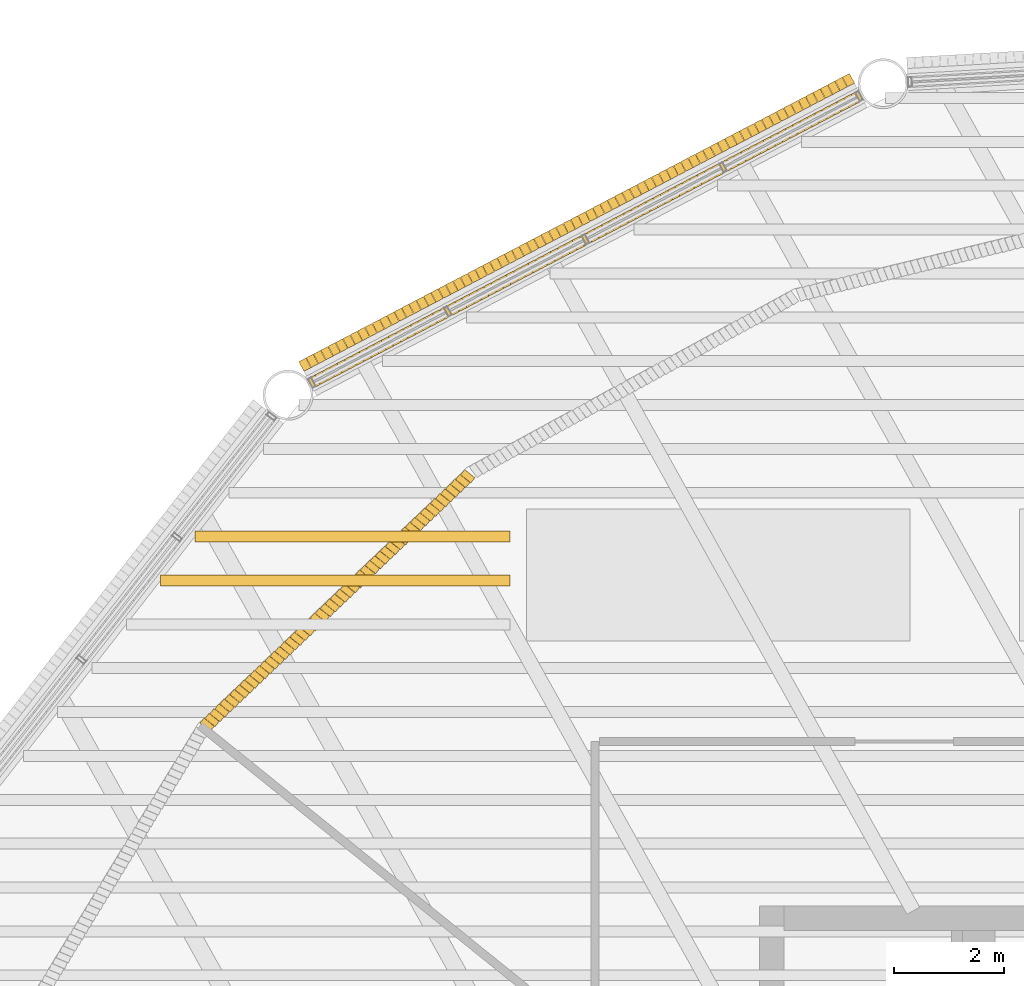
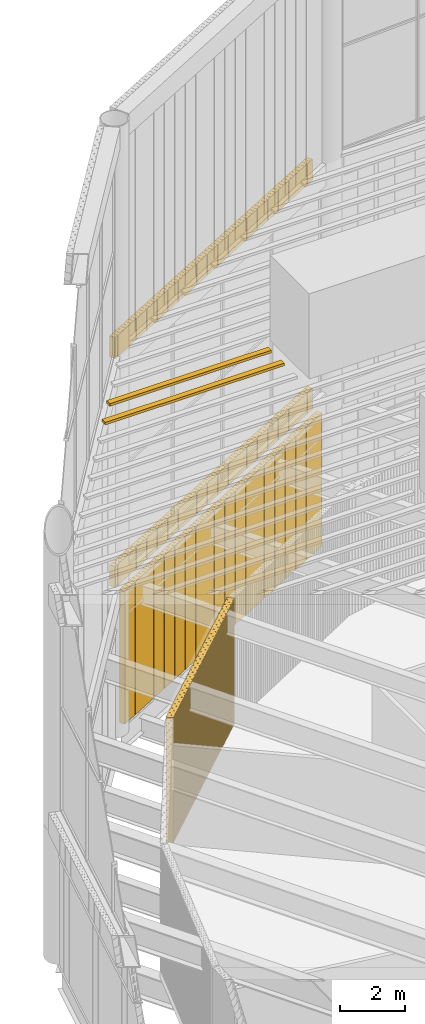
# One storey, part 103 of 117: 3 coverings, 3 shading devices.
"""IFC4 building model written with IfcOpenShell, lengths in metres."""

from ifc_helpers import new_model, si_unit, direction, frame, frame_2d, origin, origin_2d, place, context, subcontext, project, spatial, rectangle, composite_profile, extrude, material, type_object, element, save


model = new_model("IFC4")

# Units and contexts
model_context = context("Model", 3, precision=1e-05, world=origin(), true_north=direction((0.0, 1.0)))
body_context = subcontext(model_context, "Body", "Model", "MODEL_VIEW")
ifc_project = project(units=[si_unit("LENGTHUNIT", "METRE"), si_unit("AREAUNIT", "SQUARE_METRE"), si_unit("VOLUMEUNIT", "CUBIC_METRE"), si_unit("PLANEANGLEUNIT", "RADIAN"), si_unit("MASSUNIT", "GRAM", prefix="KILO")], contexts=[model_context])

# Site, building, storey
site_placement = place(None, origin())
site = spatial("IfcSite", under=ifc_project, at=site_placement, CompositionType="ELEMENT")
building_placement = place(site_placement, origin())
building = spatial("IfcBuilding", under=site, at=building_placement, Name="Tarsis Ring Headquarters", CompositionType="ELEMENT")
storey_placement = place(building_placement, frame((0.0, 0.0, 403.60009765625)))
storey = spatial("IfcBuildingStorey", under=building, at=storey_placement, Name="L95", CompositionType="ELEMENT", Elevation=403.60009765625)

# Coverings
ifc_material_1 = material(Name="Terracotta louvre", Category="masonry")
covering_type = type_object("IfcCoveringType", Name="Crown louvre fin", PredefinedType="CLADDING", material=ifc_material_1)
covering_1_placement = place(storey_placement, frame((-8.1494140625, 27.78515625, 0.0), z_axis=(0.0, 0.0, 1.0), x_axis=(-0.885930903765, -0.463814939261, 0.0)))
element("IfcCovering", 1, at=covering_1_placement, inside=storey, type_object=covering_type, Name="Crown louvre base 11", PredefinedType="CLADDING", context=body_context, shape_type="SweptSolid", body=[
    extrude(composite_profile([rectangle(XDim=0.14501953125, YDim=0.199951171875, at=frame_2d((0.072509765625, 0.0))), rectangle(XDim=0.14501953125, YDim=0.199951171875, at=frame_2d((0.2236328125, 0.0))), rectangle(XDim=0.14501953125, YDim=0.199951171875, at=frame_2d((0.375, 0.0))), rectangle(XDim=0.14501953125, YDim=0.199951171875, at=frame_2d((0.526123046875, 0.0))), rectangle(XDim=0.14501953125, YDim=0.199951171875, at=frame_2d((0.677490234375, 0.0))), rectangle(XDim=0.14501953125, YDim=0.199951171875, at=frame_2d((0.82861328125, 0.0))), rectangle(XDim=0.14501953125, YDim=0.199951171875, at=frame_2d((0.979736328125, 0.0))), rectangle(XDim=0.14501953125, YDim=0.199951171875, at=frame_2d((1.131103515625, 0.0))), rectangle(XDim=0.14501953125, YDim=0.199951171875, at=frame_2d((1.2822265625, 0.0))), rectangle(XDim=0.14501953125, YDim=0.199951171875, at=frame_2d((1.433349609375, 0.0))), rectangle(XDim=0.14501953125, YDim=0.199951171875, at=frame_2d((1.584716796875, 0.0))), rectangle(XDim=0.14501953125, YDim=0.199951171875, at=frame_2d((1.73583984375, 0.0))), rectangle(XDim=0.14501953125, YDim=0.199951171875, at=frame_2d((1.88720703125, 0.0))), rectangle(XDim=0.14501953125, YDim=0.199951171875, at=frame_2d((2.038330078125, 0.0))), rectangle(XDim=0.14501953125, YDim=0.199951171875, at=frame_2d((2.189453125, 0.0))), rectangle(XDim=0.14501953125, YDim=0.199951171875, at=frame_2d((2.3408203125, 0.0))), rectangle(XDim=0.14501953125, YDim=0.199951171875, at=frame_2d((2.491943359375, 0.0))), rectangle(XDim=0.14501953125, YDim=0.199951171875, at=frame_2d((2.64306640625, 0.0))), rectangle(XDim=0.14501953125, YDim=0.199951171875, at=frame_2d((2.79443359375, 0.0))), rectangle(XDim=0.14501953125, YDim=0.199951171875, at=frame_2d((2.945556640625, 0.0))), rectangle(XDim=0.14501953125, YDim=0.199951171875, at=frame_2d((3.096923828125, 0.0))), rectangle(XDim=0.14501953125, YDim=0.199951171875, at=frame_2d((3.248046875, 0.0))), rectangle(XDim=0.14501953125, YDim=0.199951171875, at=frame_2d((3.399169921875, 0.0))), rectangle(XDim=0.14501953125, YDim=0.199951171875, at=frame_2d((3.550537109375, 0.0))), rectangle(XDim=0.14501953125, YDim=0.199951171875, at=frame_2d((3.70166015625, 0.0))), rectangle(XDim=0.14501953125, YDim=0.199951171875, at=frame_2d((3.852783203125, 0.0))), rectangle(XDim=0.14501953125, YDim=0.199951171875, at=frame_2d((4.004150390625, 0.0))), rectangle(XDim=0.14501953125, YDim=0.199951171875, at=frame_2d((4.1552734375, 0.0))), rectangle(XDim=0.14501953125, YDim=0.199951171875, at=frame_2d((4.306640625, 0.0))), rectangle(XDim=0.14501953125, YDim=0.199951171875, at=frame_2d((4.457763671875, 0.0))), rectangle(XDim=0.14501953125, YDim=0.199951171875, at=frame_2d((4.60888671875, 0.0))), rectangle(XDim=0.14501953125, YDim=0.199951171875, at=frame_2d((4.76025390625, 0.0))), rectangle(XDim=0.14501953125, YDim=0.199951171875, at=frame_2d((4.911376953125, 0.0))), rectangle(XDim=0.14501953125, YDim=0.199951171875, at=frame_2d((5.0625, 0.0))), rectangle(XDim=0.14501953125, YDim=0.199951171875, at=frame_2d((5.2138671875, 0.0))), rectangle(XDim=0.14501953125, YDim=0.199951171875, at=frame_2d((5.364990234375, 0.0))), rectangle(XDim=0.14501953125, YDim=0.199951171875, at=frame_2d((5.516357421875, 0.0))), rectangle(XDim=0.14501953125, YDim=0.199951171875, at=frame_2d((5.66748046875, 0.0))), rectangle(XDim=0.14501953125, YDim=0.199951171875, at=frame_2d((5.818603515625, 0.0))), rectangle(XDim=0.14501953125, YDim=0.199951171875, at=frame_2d((5.969970703125, 0.0))), rectangle(XDim=0.14501953125, YDim=0.199951171875, at=frame_2d((6.12109375, 0.0))), rectangle(XDim=0.14501953125, YDim=0.199951171875, at=frame_2d((6.2724609375, 0.0))), rectangle(XDim=0.14501953125, YDim=0.199951171875, at=frame_2d((6.423583984375, 0.0))), rectangle(XDim=0.14501953125, YDim=0.199951171875, at=frame_2d((6.57470703125, 0.0))), rectangle(XDim=0.14501953125, YDim=0.199951171875, at=frame_2d((6.72607421875, 0.0))), rectangle(XDim=0.14501953125, YDim=0.199951171875, at=frame_2d((6.877197265625, 0.0))), rectangle(XDim=0.14501953125, YDim=0.199951171875, at=frame_2d((7.0283203125, 0.0))), rectangle(XDim=0.14501953125, YDim=0.199951171875, at=frame_2d((7.1796875, 0.0))), rectangle(XDim=0.14501953125, YDim=0.199951171875, at=frame_2d((7.330810546875, 0.0))), rectangle(XDim=0.14501953125, YDim=0.199951171875, at=frame_2d((7.482177734375, 0.0))), rectangle(XDim=0.14501953125, YDim=0.199951171875, at=frame_2d((7.63330078125, 0.0))), rectangle(XDim=0.14501953125, YDim=0.199951171875, at=frame_2d((7.784423828125, 0.0))), rectangle(XDim=0.14501953125, YDim=0.199951171875, at=frame_2d((7.935791015625, 0.0))), rectangle(XDim=0.14501953125, YDim=0.199951171875, at=frame_2d((8.0869140625, 0.0))), rectangle(XDim=0.14501953125, YDim=0.199951171875, at=frame_2d((8.238037109375, 0.0))), rectangle(XDim=0.14501953125, YDim=0.199951171875, at=frame_2d((8.389404296875, 0.0))), rectangle(XDim=0.14501953125, YDim=0.199951171875, at=frame_2d((8.54052734375, 0.0))), rectangle(XDim=0.14501953125, YDim=0.199951171875, at=frame_2d((8.69189453125, 0.0))), rectangle(XDim=0.14501953125, YDim=0.199951171875, at=frame_2d((8.843017578125, 0.0))), rectangle(XDim=0.14501953125, YDim=0.199951171875, at=frame_2d((8.994140625, 0.0))), rectangle(XDim=0.14501953125, YDim=0.199951171875, at=frame_2d((9.1455078125, 0.0))), rectangle(XDim=0.14501953125, YDim=0.199951171875, at=frame_2d((9.296630859375, 0.0))), rectangle(XDim=0.14501953125, YDim=0.199951171875, at=frame_2d((9.44775390625, 0.0))), rectangle(XDim=0.14501953125, YDim=0.199951171875, at=frame_2d((9.59912109375, 0.0))), rectangle(XDim=0.14501953125, YDim=0.199951171875, at=frame_2d((9.750244140625, 0.0))), rectangle(XDim=0.14501953125, YDim=0.199951171875, at=frame_2d((9.901611328125, 0.0))), rectangle(XDim=0.14501953125, YDim=0.199951171875, at=frame_2d((10.052734375, 0.0))), rectangle(XDim=0.14501953125, YDim=0.199951171875, at=frame_2d((10.203857421875, 0.0))), rectangle(XDim=0.14501953125, YDim=0.199951171875, at=frame_2d((10.355224609375, 0.0))), rectangle(XDim=0.14501953125, YDim=0.199951171875, at=frame_2d((10.50634765625, 0.0))), rectangle(XDim=0.14501953125, YDim=0.199951171875, at=frame_2d((10.657470703125, 0.0))), rectangle(XDim=0.14501953125, YDim=0.199951171875, at=frame_2d((10.808837890625, 0.0))), rectangle(XDim=0.14501953125, YDim=0.199951171875, at=frame_2d((10.9599609375, 0.0))), rectangle(XDim=0.14501953125, YDim=0.199951171875, at=frame_2d((11.111328125, 0.0))), rectangle(XDim=0.14501953125, YDim=0.199951171875, at=frame_2d((11.262451171875, 0.0)))]), origin(), (0.0, 0.0, 1.0), 5.0),
])
covering_2_placement = place(storey_placement, frame((-8.311767578125, 28.09521484375, 5.0), z_axis=(0.0, 0.0, 1.0), x_axis=(-0.885930903765, -0.463814939261, 0.0)))
element("IfcCovering", 2, at=covering_2_placement, inside=storey, type_object=covering_type, Name="Crown louvre fascia R11", PredefinedType="CLADDING", context=body_context, shape_type="SweptSolid", body=[
    extrude(composite_profile([rectangle(XDim=0.14501953125, YDim=0.199951171875, at=frame_2d((0.072509765625, 0.0))), rectangle(XDim=0.14501953125, YDim=0.199951171875, at=frame_2d((0.2236328125, 0.0))), rectangle(XDim=0.14501953125, YDim=0.199951171875, at=frame_2d((0.375, 0.0))), rectangle(XDim=0.14501953125, YDim=0.199951171875, at=frame_2d((0.526123046875, 0.0))), rectangle(XDim=0.14501953125, YDim=0.199951171875, at=frame_2d((0.677490234375, 0.0))), rectangle(XDim=0.14501953125, YDim=0.199951171875, at=frame_2d((0.82861328125, 0.0))), rectangle(XDim=0.14501953125, YDim=0.199951171875, at=frame_2d((0.979736328125, 0.0))), rectangle(XDim=0.14501953125, YDim=0.199951171875, at=frame_2d((1.131103515625, 0.0))), rectangle(XDim=0.14501953125, YDim=0.199951171875, at=frame_2d((1.2822265625, 0.0))), rectangle(XDim=0.14501953125, YDim=0.199951171875, at=frame_2d((1.433349609375, 0.0))), rectangle(XDim=0.14501953125, YDim=0.199951171875, at=frame_2d((1.584716796875, 0.0))), rectangle(XDim=0.14501953125, YDim=0.199951171875, at=frame_2d((1.73583984375, 0.0))), rectangle(XDim=0.14501953125, YDim=0.199951171875, at=frame_2d((1.88720703125, 0.0))), rectangle(XDim=0.14501953125, YDim=0.199951171875, at=frame_2d((2.038330078125, 0.0))), rectangle(XDim=0.14501953125, YDim=0.199951171875, at=frame_2d((2.189453125, 0.0))), rectangle(XDim=0.14501953125, YDim=0.199951171875, at=frame_2d((2.3408203125, 0.0))), rectangle(XDim=0.14501953125, YDim=0.199951171875, at=frame_2d((2.491943359375, 0.0))), rectangle(XDim=0.14501953125, YDim=0.199951171875, at=frame_2d((2.64306640625, 0.0))), rectangle(XDim=0.14501953125, YDim=0.199951171875, at=frame_2d((2.79443359375, 0.0))), rectangle(XDim=0.14501953125, YDim=0.199951171875, at=frame_2d((2.945556640625, 0.0))), rectangle(XDim=0.14501953125, YDim=0.199951171875, at=frame_2d((3.096923828125, 0.0))), rectangle(XDim=0.14501953125, YDim=0.199951171875, at=frame_2d((3.248046875, 0.0))), rectangle(XDim=0.14501953125, YDim=0.199951171875, at=frame_2d((3.399169921875, 0.0))), rectangle(XDim=0.14501953125, YDim=0.199951171875, at=frame_2d((3.550537109375, 0.0))), rectangle(XDim=0.14501953125, YDim=0.199951171875, at=frame_2d((3.70166015625, 0.0))), rectangle(XDim=0.14501953125, YDim=0.199951171875, at=frame_2d((3.852783203125, 0.0))), rectangle(XDim=0.14501953125, YDim=0.199951171875, at=frame_2d((4.004150390625, 0.0))), rectangle(XDim=0.14501953125, YDim=0.199951171875, at=frame_2d((4.1552734375, 0.0))), rectangle(XDim=0.14501953125, YDim=0.199951171875, at=frame_2d((4.306640625, 0.0))), rectangle(XDim=0.14501953125, YDim=0.199951171875, at=frame_2d((4.457763671875, 0.0))), rectangle(XDim=0.14501953125, YDim=0.199951171875, at=frame_2d((4.60888671875, 0.0))), rectangle(XDim=0.14501953125, YDim=0.199951171875, at=frame_2d((4.76025390625, 0.0))), rectangle(XDim=0.14501953125, YDim=0.199951171875, at=frame_2d((4.911376953125, 0.0))), rectangle(XDim=0.14501953125, YDim=0.199951171875, at=frame_2d((5.0625, 0.0))), rectangle(XDim=0.14501953125, YDim=0.199951171875, at=frame_2d((5.2138671875, 0.0))), rectangle(XDim=0.14501953125, YDim=0.199951171875, at=frame_2d((5.364990234375, 0.0))), rectangle(XDim=0.14501953125, YDim=0.199951171875, at=frame_2d((5.516357421875, 0.0))), rectangle(XDim=0.14501953125, YDim=0.199951171875, at=frame_2d((5.66748046875, 0.0))), rectangle(XDim=0.14501953125, YDim=0.199951171875, at=frame_2d((5.818603515625, 0.0))), rectangle(XDim=0.14501953125, YDim=0.199951171875, at=frame_2d((5.969970703125, 0.0))), rectangle(XDim=0.14501953125, YDim=0.199951171875, at=frame_2d((6.12109375, 0.0))), rectangle(XDim=0.14501953125, YDim=0.199951171875, at=frame_2d((6.2724609375, 0.0))), rectangle(XDim=0.14501953125, YDim=0.199951171875, at=frame_2d((6.423583984375, 0.0))), rectangle(XDim=0.14501953125, YDim=0.199951171875, at=frame_2d((6.57470703125, 0.0))), rectangle(XDim=0.14501953125, YDim=0.199951171875, at=frame_2d((6.72607421875, 0.0))), rectangle(XDim=0.14501953125, YDim=0.199951171875, at=frame_2d((6.877197265625, 0.0))), rectangle(XDim=0.14501953125, YDim=0.199951171875, at=frame_2d((7.0283203125, 0.0))), rectangle(XDim=0.14501953125, YDim=0.199951171875, at=frame_2d((7.1796875, 0.0))), rectangle(XDim=0.14501953125, YDim=0.199951171875, at=frame_2d((7.330810546875, 0.0))), rectangle(XDim=0.14501953125, YDim=0.199951171875, at=frame_2d((7.482177734375, 0.0))), rectangle(XDim=0.14501953125, YDim=0.199951171875, at=frame_2d((7.63330078125, 0.0))), rectangle(XDim=0.14501953125, YDim=0.199951171875, at=frame_2d((7.784423828125, 0.0))), rectangle(XDim=0.14501953125, YDim=0.199951171875, at=frame_2d((7.935791015625, 0.0))), rectangle(XDim=0.14501953125, YDim=0.199951171875, at=frame_2d((8.0869140625, 0.0))), rectangle(XDim=0.14501953125, YDim=0.199951171875, at=frame_2d((8.238037109375, 0.0))), rectangle(XDim=0.14501953125, YDim=0.199951171875, at=frame_2d((8.389404296875, 0.0))), rectangle(XDim=0.14501953125, YDim=0.199951171875, at=frame_2d((8.54052734375, 0.0))), rectangle(XDim=0.14501953125, YDim=0.199951171875, at=frame_2d((8.69189453125, 0.0))), rectangle(XDim=0.14501953125, YDim=0.199951171875, at=frame_2d((8.843017578125, 0.0))), rectangle(XDim=0.14501953125, YDim=0.199951171875, at=frame_2d((8.994140625, 0.0))), rectangle(XDim=0.14501953125, YDim=0.199951171875, at=frame_2d((9.1455078125, 0.0))), rectangle(XDim=0.14501953125, YDim=0.199951171875, at=frame_2d((9.296630859375, 0.0))), rectangle(XDim=0.14501953125, YDim=0.199951171875, at=frame_2d((9.44775390625, 0.0))), rectangle(XDim=0.14501953125, YDim=0.199951171875, at=frame_2d((9.59912109375, 0.0))), rectangle(XDim=0.14501953125, YDim=0.199951171875, at=frame_2d((9.750244140625, 0.0))), rectangle(XDim=0.14501953125, YDim=0.199951171875, at=frame_2d((9.901611328125, 0.0))), rectangle(XDim=0.14501953125, YDim=0.199951171875, at=frame_2d((10.052734375, 0.0))), rectangle(XDim=0.14501953125, YDim=0.199951171875, at=frame_2d((10.203857421875, 0.0))), rectangle(XDim=0.14501953125, YDim=0.199951171875, at=frame_2d((10.355224609375, 0.0))), rectangle(XDim=0.14501953125, YDim=0.199951171875, at=frame_2d((10.50634765625, 0.0))), rectangle(XDim=0.14501953125, YDim=0.199951171875, at=frame_2d((10.657470703125, 0.0))), rectangle(XDim=0.14501953125, YDim=0.199951171875, at=frame_2d((10.808837890625, 0.0))), rectangle(XDim=0.14501953125, YDim=0.199951171875, at=frame_2d((10.9599609375, 0.0))), rectangle(XDim=0.14501953125, YDim=0.199951171875, at=frame_2d((11.111328125, 0.0))), rectangle(XDim=0.14501953125, YDim=0.199951171875, at=frame_2d((11.262451171875, 0.0)))]), origin(), (0.0, 0.0, 1.0), 0.7998046875),
])
covering_3_placement = place(storey_placement, frame((-8.311767578125, 28.09521484375, 13.599853515625), z_axis=(0.0, 0.0, 1.0), x_axis=(-0.885930903765, -0.463814939261, 0.0)))
element("IfcCovering", 3, at=covering_3_placement, inside=storey, type_object=covering_type, Name="Crown louvre fascia M11", PredefinedType="CLADDING", context=body_context, shape_type="SweptSolid", body=[
    extrude(composite_profile([rectangle(XDim=0.14501953125, YDim=0.199951171875, at=frame_2d((0.072509765625, 0.0))), rectangle(XDim=0.14501953125, YDim=0.199951171875, at=frame_2d((0.2236328125, 0.0))), rectangle(XDim=0.14501953125, YDim=0.199951171875, at=frame_2d((0.375, 0.0))), rectangle(XDim=0.14501953125, YDim=0.199951171875, at=frame_2d((0.526123046875, 0.0))), rectangle(XDim=0.14501953125, YDim=0.199951171875, at=frame_2d((0.677490234375, 0.0))), rectangle(XDim=0.14501953125, YDim=0.199951171875, at=frame_2d((0.82861328125, 0.0))), rectangle(XDim=0.14501953125, YDim=0.199951171875, at=frame_2d((0.979736328125, 0.0))), rectangle(XDim=0.14501953125, YDim=0.199951171875, at=frame_2d((1.131103515625, 0.0))), rectangle(XDim=0.14501953125, YDim=0.199951171875, at=frame_2d((1.2822265625, 0.0))), rectangle(XDim=0.14501953125, YDim=0.199951171875, at=frame_2d((1.433349609375, 0.0))), rectangle(XDim=0.14501953125, YDim=0.199951171875, at=frame_2d((1.584716796875, 0.0))), rectangle(XDim=0.14501953125, YDim=0.199951171875, at=frame_2d((1.73583984375, 0.0))), rectangle(XDim=0.14501953125, YDim=0.199951171875, at=frame_2d((1.88720703125, 0.0))), rectangle(XDim=0.14501953125, YDim=0.199951171875, at=frame_2d((2.038330078125, 0.0))), rectangle(XDim=0.14501953125, YDim=0.199951171875, at=frame_2d((2.189453125, 0.0))), rectangle(XDim=0.14501953125, YDim=0.199951171875, at=frame_2d((2.3408203125, 0.0))), rectangle(XDim=0.14501953125, YDim=0.199951171875, at=frame_2d((2.491943359375, 0.0))), rectangle(XDim=0.14501953125, YDim=0.199951171875, at=frame_2d((2.64306640625, 0.0))), rectangle(XDim=0.14501953125, YDim=0.199951171875, at=frame_2d((2.79443359375, 0.0))), rectangle(XDim=0.14501953125, YDim=0.199951171875, at=frame_2d((2.945556640625, 0.0))), rectangle(XDim=0.14501953125, YDim=0.199951171875, at=frame_2d((3.096923828125, 0.0))), rectangle(XDim=0.14501953125, YDim=0.199951171875, at=frame_2d((3.248046875, 0.0))), rectangle(XDim=0.14501953125, YDim=0.199951171875, at=frame_2d((3.399169921875, 0.0))), rectangle(XDim=0.14501953125, YDim=0.199951171875, at=frame_2d((3.550537109375, 0.0))), rectangle(XDim=0.14501953125, YDim=0.199951171875, at=frame_2d((3.70166015625, 0.0))), rectangle(XDim=0.14501953125, YDim=0.199951171875, at=frame_2d((3.852783203125, 0.0))), rectangle(XDim=0.14501953125, YDim=0.199951171875, at=frame_2d((4.004150390625, 0.0))), rectangle(XDim=0.14501953125, YDim=0.199951171875, at=frame_2d((4.1552734375, 0.0))), rectangle(XDim=0.14501953125, YDim=0.199951171875, at=frame_2d((4.306640625, 0.0))), rectangle(XDim=0.14501953125, YDim=0.199951171875, at=frame_2d((4.457763671875, 0.0))), rectangle(XDim=0.14501953125, YDim=0.199951171875, at=frame_2d((4.60888671875, 0.0))), rectangle(XDim=0.14501953125, YDim=0.199951171875, at=frame_2d((4.76025390625, 0.0))), rectangle(XDim=0.14501953125, YDim=0.199951171875, at=frame_2d((4.911376953125, 0.0))), rectangle(XDim=0.14501953125, YDim=0.199951171875, at=frame_2d((5.0625, 0.0))), rectangle(XDim=0.14501953125, YDim=0.199951171875, at=frame_2d((5.2138671875, 0.0))), rectangle(XDim=0.14501953125, YDim=0.199951171875, at=frame_2d((5.364990234375, 0.0))), rectangle(XDim=0.14501953125, YDim=0.199951171875, at=frame_2d((5.516357421875, 0.0))), rectangle(XDim=0.14501953125, YDim=0.199951171875, at=frame_2d((5.66748046875, 0.0))), rectangle(XDim=0.14501953125, YDim=0.199951171875, at=frame_2d((5.818603515625, 0.0))), rectangle(XDim=0.14501953125, YDim=0.199951171875, at=frame_2d((5.969970703125, 0.0))), rectangle(XDim=0.14501953125, YDim=0.199951171875, at=frame_2d((6.12109375, 0.0))), rectangle(XDim=0.14501953125, YDim=0.199951171875, at=frame_2d((6.2724609375, 0.0))), rectangle(XDim=0.14501953125, YDim=0.199951171875, at=frame_2d((6.423583984375, 0.0))), rectangle(XDim=0.14501953125, YDim=0.199951171875, at=frame_2d((6.57470703125, 0.0))), rectangle(XDim=0.14501953125, YDim=0.199951171875, at=frame_2d((6.72607421875, 0.0))), rectangle(XDim=0.14501953125, YDim=0.199951171875, at=frame_2d((6.877197265625, 0.0))), rectangle(XDim=0.14501953125, YDim=0.199951171875, at=frame_2d((7.0283203125, 0.0))), rectangle(XDim=0.14501953125, YDim=0.199951171875, at=frame_2d((7.1796875, 0.0))), rectangle(XDim=0.14501953125, YDim=0.199951171875, at=frame_2d((7.330810546875, 0.0))), rectangle(XDim=0.14501953125, YDim=0.199951171875, at=frame_2d((7.482177734375, 0.0))), rectangle(XDim=0.14501953125, YDim=0.199951171875, at=frame_2d((7.63330078125, 0.0))), rectangle(XDim=0.14501953125, YDim=0.199951171875, at=frame_2d((7.784423828125, 0.0))), rectangle(XDim=0.14501953125, YDim=0.199951171875, at=frame_2d((7.935791015625, 0.0))), rectangle(XDim=0.14501953125, YDim=0.199951171875, at=frame_2d((8.0869140625, 0.0))), rectangle(XDim=0.14501953125, YDim=0.199951171875, at=frame_2d((8.238037109375, 0.0))), rectangle(XDim=0.14501953125, YDim=0.199951171875, at=frame_2d((8.389404296875, 0.0))), rectangle(XDim=0.14501953125, YDim=0.199951171875, at=frame_2d((8.54052734375, 0.0))), rectangle(XDim=0.14501953125, YDim=0.199951171875, at=frame_2d((8.69189453125, 0.0))), rectangle(XDim=0.14501953125, YDim=0.199951171875, at=frame_2d((8.843017578125, 0.0))), rectangle(XDim=0.14501953125, YDim=0.199951171875, at=frame_2d((8.994140625, 0.0))), rectangle(XDim=0.14501953125, YDim=0.199951171875, at=frame_2d((9.1455078125, 0.0))), rectangle(XDim=0.14501953125, YDim=0.199951171875, at=frame_2d((9.296630859375, 0.0))), rectangle(XDim=0.14501953125, YDim=0.199951171875, at=frame_2d((9.44775390625, 0.0))), rectangle(XDim=0.14501953125, YDim=0.199951171875, at=frame_2d((9.59912109375, 0.0))), rectangle(XDim=0.14501953125, YDim=0.199951171875, at=frame_2d((9.750244140625, 0.0))), rectangle(XDim=0.14501953125, YDim=0.199951171875, at=frame_2d((9.901611328125, 0.0))), rectangle(XDim=0.14501953125, YDim=0.199951171875, at=frame_2d((10.052734375, 0.0))), rectangle(XDim=0.14501953125, YDim=0.199951171875, at=frame_2d((10.203857421875, 0.0))), rectangle(XDim=0.14501953125, YDim=0.199951171875, at=frame_2d((10.355224609375, 0.0))), rectangle(XDim=0.14501953125, YDim=0.199951171875, at=frame_2d((10.50634765625, 0.0))), rectangle(XDim=0.14501953125, YDim=0.199951171875, at=frame_2d((10.657470703125, 0.0))), rectangle(XDim=0.14501953125, YDim=0.199951171875, at=frame_2d((10.808837890625, 0.0))), rectangle(XDim=0.14501953125, YDim=0.199951171875, at=frame_2d((10.9599609375, 0.0))), rectangle(XDim=0.14501953125, YDim=0.199951171875, at=frame_2d((11.111328125, 0.0))), rectangle(XDim=0.14501953125, YDim=0.199951171875, at=frame_2d((11.262451171875, 0.0)))]), origin(), (0.0, 0.0, 1.0), 0.800048828125),
])

# Shading devices
ifc_material_2 = material(Name="Aluminium louvre", Category="aluminium")
shading_device_type_1 = type_object("IfcShadingDeviceType", Name="Crown roof louvre blade", PredefinedType="USERDEFINED", material=ifc_material_2)
shading_device_1_placement = place(storey_placement, frame((-17.737060546875, 18.935791015625, 14.39990234375), z_axis=(0.0, 0.0, 1.0), x_axis=(1.0, 0.0, 0.0)))
element("IfcShadingDevice", 4, at=shading_device_1_placement, inside=storey, type_object=shading_device_type_1, Name="Crown roof louvre 101", ObjectType="Crown roof louvre", PredefinedType="USERDEFINED", context=body_context, shape_type="SweptSolid", body=[
    extrude(rectangle(XDim=6.369384765625, YDim=0.199951171875, at=origin_2d()), origin(), (0.0, 0.0, 1.0), 0.10009765625),
])
shading_device_2_placement = place(storey_placement, frame((-17.42431640625, 19.73583984375, 14.39990234375), z_axis=(0.0, 0.0, 1.0), x_axis=(1.0, 0.0, 0.0)))
element("IfcShadingDevice", 5, at=shading_device_2_placement, inside=storey, type_object=shading_device_type_1, Name="Crown roof louvre 103", ObjectType="Crown roof louvre", PredefinedType="USERDEFINED", context=body_context, shape_type="SweptSolid", body=[
    extrude(rectangle(XDim=5.743896484375, YDim=0.199951171875, at=origin_2d()), origin(), (0.0, 0.0, 1.0), 0.10009765625),
])
shading_device_type_2 = type_object("IfcShadingDeviceType", Name="Plant louvre fin", PredefinedType="USERDEFINED", material=ifc_material_2)
shading_device_3_placement = place(storey_placement, frame((-15.263916015625, 20.88916015625, 0.0), z_axis=(0.0, 0.0, 1.0), x_axis=(-0.723947550035, -0.689876866078, 0.0)))
element("IfcShadingDevice", 6, at=shading_device_3_placement, inside=storey, type_object=shading_device_type_2, Name="Louvre L95-27", ObjectType="Louvre", PredefinedType="USERDEFINED", context=body_context, shape_type="SweptSolid", body=[
    extrude(composite_profile([rectangle(XDim=0.1201171875, YDim=0.239990234375, at=frame_2d((0.076171875, 0.0), x_axis=(0.990268068742, 0.13917310096))), rectangle(XDim=0.1201171875, YDim=0.239990234375, at=frame_2d((0.202392578125, 0.0), x_axis=(0.990268068742, 0.13917310096))), rectangle(XDim=0.1201171875, YDim=0.239990234375, at=frame_2d((0.328857421875, 0.0), x_axis=(0.990268068742, 0.13917310096))), rectangle(XDim=0.1201171875, YDim=0.239990234375, at=frame_2d((0.455078125, 0.0), x_axis=(0.990268068742, 0.13917310096))), rectangle(XDim=0.1201171875, YDim=0.239990234375, at=frame_2d((0.58154296875, 0.0), x_axis=(0.990268068742, 0.13917310096))), rectangle(XDim=0.1201171875, YDim=0.239990234375, at=frame_2d((0.707763671875, 0.0), x_axis=(0.990268068742, 0.13917310096))), rectangle(XDim=0.1201171875, YDim=0.239990234375, at=frame_2d((0.834228515625, 0.0), x_axis=(0.990268068742, 0.13917310096))), rectangle(XDim=0.1201171875, YDim=0.239990234375, at=frame_2d((0.96044921875, 0.0), x_axis=(0.990268068742, 0.13917310096))), rectangle(XDim=0.1201171875, YDim=0.239990234375, at=frame_2d((1.0869140625, 0.0), x_axis=(0.990268068742, 0.13917310096))), rectangle(XDim=0.1201171875, YDim=0.239990234375, at=frame_2d((1.213134765625, 0.0), x_axis=(0.990268068742, 0.13917310096))), rectangle(XDim=0.1201171875, YDim=0.239990234375, at=frame_2d((1.33935546875, 0.0), x_axis=(0.990268068742, 0.13917310096))), rectangle(XDim=0.1201171875, YDim=0.239990234375, at=frame_2d((1.4658203125, 0.0), x_axis=(0.990268068742, 0.13917310096))), rectangle(XDim=0.1201171875, YDim=0.239990234375, at=frame_2d((1.592041015625, 0.0), x_axis=(0.990268068742, 0.13917310096))), rectangle(XDim=0.1201171875, YDim=0.239990234375, at=frame_2d((1.718505859375, 0.0), x_axis=(0.990268068742, 0.13917310096))), rectangle(XDim=0.1201171875, YDim=0.239990234375, at=frame_2d((1.8447265625, 0.0), x_axis=(0.990268068742, 0.13917310096))), rectangle(XDim=0.1201171875, YDim=0.239990234375, at=frame_2d((1.97119140625, 0.0), x_axis=(0.990268068742, 0.13917310096))), rectangle(XDim=0.1201171875, YDim=0.239990234375, at=frame_2d((2.097412109375, 0.0), x_axis=(0.990268068742, 0.13917310096))), rectangle(XDim=0.1201171875, YDim=0.239990234375, at=frame_2d((2.223876953125, 0.0), x_axis=(0.990268068742, 0.13917310096))), rectangle(XDim=0.1201171875, YDim=0.239990234375, at=frame_2d((2.35009765625, 0.0), x_axis=(0.990268068742, 0.13917310096))), rectangle(XDim=0.1201171875, YDim=0.239990234375, at=frame_2d((2.476318359375, 0.0), x_axis=(0.990268068742, 0.13917310096))), rectangle(XDim=0.1201171875, YDim=0.239990234375, at=frame_2d((2.602783203125, 0.0), x_axis=(0.990268068742, 0.13917310096))), rectangle(XDim=0.1201171875, YDim=0.239990234375, at=frame_2d((2.72900390625, 0.0), x_axis=(0.990268068742, 0.13917310096))), rectangle(XDim=0.1201171875, YDim=0.239990234375, at=frame_2d((2.85546875, 0.0), x_axis=(0.990268068742, 0.13917310096))), rectangle(XDim=0.1201171875, YDim=0.239990234375, at=frame_2d((2.981689453125, 0.0), x_axis=(0.990268068742, 0.13917310096))), rectangle(XDim=0.1201171875, YDim=0.239990234375, at=frame_2d((3.108154296875, 0.0), x_axis=(0.990268068742, 0.13917310096))), rectangle(XDim=0.1201171875, YDim=0.239990234375, at=frame_2d((3.234375, 0.0), x_axis=(0.990268068742, 0.13917310096))), rectangle(XDim=0.1201171875, YDim=0.239990234375, at=frame_2d((3.36083984375, 0.0), x_axis=(0.990268068742, 0.13917310096))), rectangle(XDim=0.1201171875, YDim=0.239990234375, at=frame_2d((3.487060546875, 0.0), x_axis=(0.990268068742, 0.13917310096))), rectangle(XDim=0.1201171875, YDim=0.239990234375, at=frame_2d((3.61328125, 0.0), x_axis=(0.990268068742, 0.13917310096))), rectangle(XDim=0.1201171875, YDim=0.239990234375, at=frame_2d((3.73974609375, 0.0), x_axis=(0.990268068742, 0.13917310096))), rectangle(XDim=0.1201171875, YDim=0.239990234375, at=frame_2d((3.865966796875, 0.0), x_axis=(0.990268068742, 0.13917310096))), rectangle(XDim=0.1201171875, YDim=0.239990234375, at=frame_2d((3.992431640625, 0.0), x_axis=(0.990268068742, 0.13917310096))), rectangle(XDim=0.1201171875, YDim=0.239990234375, at=frame_2d((4.11865234375, 0.0), x_axis=(0.990268068742, 0.13917310096))), rectangle(XDim=0.1201171875, YDim=0.239990234375, at=frame_2d((4.2451171875, 0.0), x_axis=(0.990268068742, 0.13917310096))), rectangle(XDim=0.1201171875, YDim=0.239990234375, at=frame_2d((4.371337890625, 0.0), x_axis=(0.990268068742, 0.13917310096))), rectangle(XDim=0.1201171875, YDim=0.239990234375, at=frame_2d((4.49755859375, 0.0), x_axis=(0.990268068742, 0.13917310096))), rectangle(XDim=0.1201171875, YDim=0.239990234375, at=frame_2d((4.6240234375, 0.0), x_axis=(0.990268068742, 0.13917310096))), rectangle(XDim=0.1201171875, YDim=0.239990234375, at=frame_2d((4.750244140625, 0.0), x_axis=(0.990268068742, 0.13917310096))), rectangle(XDim=0.1201171875, YDim=0.239990234375, at=frame_2d((4.876708984375, 0.0), x_axis=(0.990268068742, 0.13917310096))), rectangle(XDim=0.1201171875, YDim=0.239990234375, at=frame_2d((5.0029296875, 0.0), x_axis=(0.990268068742, 0.13917310096))), rectangle(XDim=0.1201171875, YDim=0.239990234375, at=frame_2d((5.12939453125, 0.0), x_axis=(0.990268068742, 0.13917310096))), rectangle(XDim=0.1201171875, YDim=0.239990234375, at=frame_2d((5.255615234375, 0.0), x_axis=(0.990268068742, 0.13917310096))), rectangle(XDim=0.1201171875, YDim=0.239990234375, at=frame_2d((5.382080078125, 0.0), x_axis=(0.990268068742, 0.13917310096))), rectangle(XDim=0.1201171875, YDim=0.239990234375, at=frame_2d((5.50830078125, 0.0), x_axis=(0.990268068742, 0.13917310096))), rectangle(XDim=0.1201171875, YDim=0.239990234375, at=frame_2d((5.634521484375, 0.0), x_axis=(0.990268068742, 0.13917310096))), rectangle(XDim=0.1201171875, YDim=0.239990234375, at=frame_2d((5.760986328125, 0.0), x_axis=(0.990268068742, 0.13917310096))), rectangle(XDim=0.1201171875, YDim=0.239990234375, at=frame_2d((5.88720703125, 0.0), x_axis=(0.990268068742, 0.13917310096))), rectangle(XDim=0.1201171875, YDim=0.239990234375, at=frame_2d((6.013671875, 0.0), x_axis=(0.990268068742, 0.13917310096))), rectangle(XDim=0.1201171875, YDim=0.239990234375, at=frame_2d((6.139892578125, 0.0), x_axis=(0.990268068742, 0.13917310096))), rectangle(XDim=0.1201171875, YDim=0.239990234375, at=frame_2d((6.266357421875, 0.0), x_axis=(0.990268068742, 0.13917310096))), rectangle(XDim=0.1201171875, YDim=0.239990234375, at=frame_2d((6.392578125, 0.0), x_axis=(0.990268068742, 0.13917310096))), rectangle(XDim=0.1201171875, YDim=0.239990234375, at=frame_2d((6.51904296875, 0.0), x_axis=(0.990268068742, 0.13917310096))), rectangle(XDim=0.1201171875, YDim=0.239990234375, at=frame_2d((6.645263671875, 0.0), x_axis=(0.990268068742, 0.13917310096)))]), origin(), (0.0, 0.0, 1.0), 4.699951171875),
])

save(model, "model.ifc")
